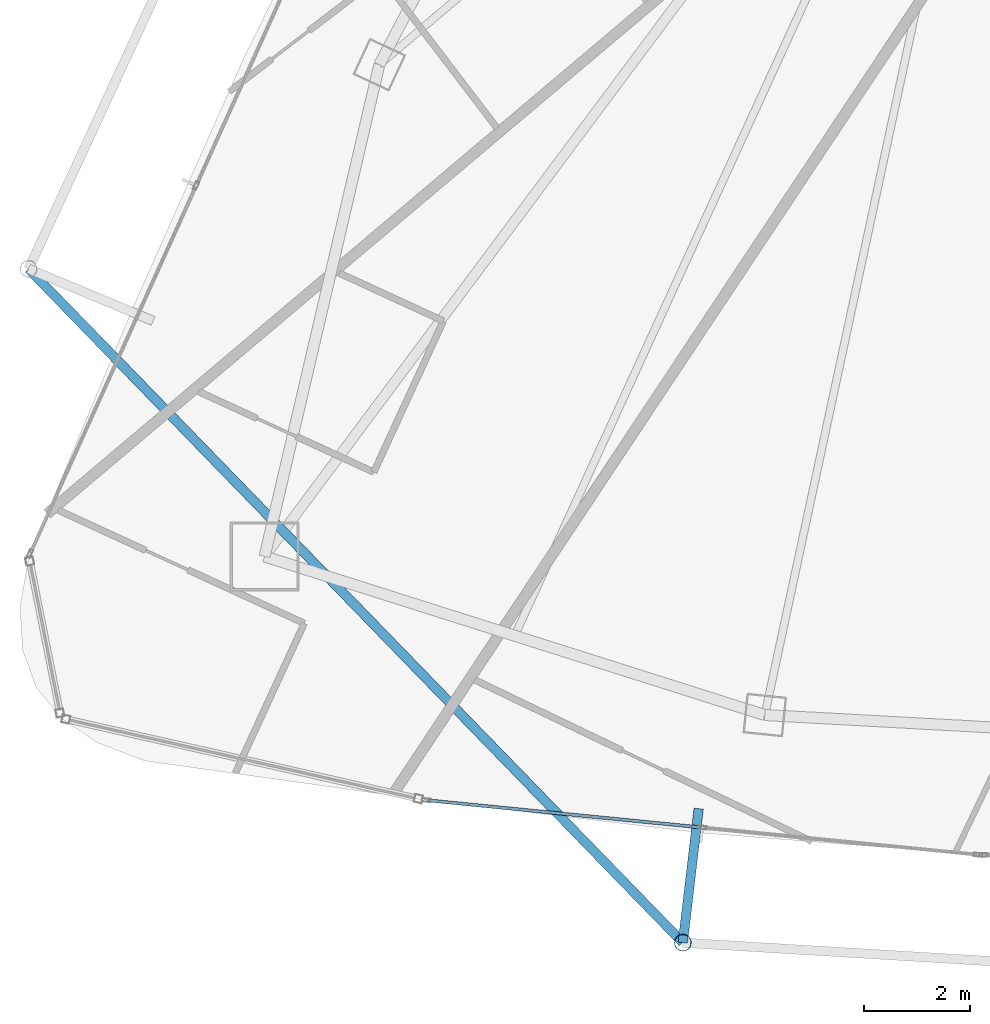
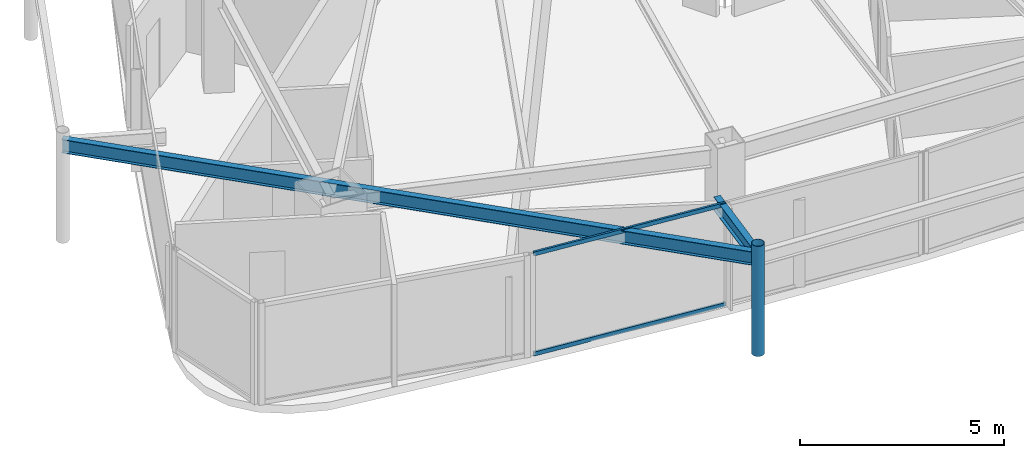
# One storey, part 3 of 33: 3 members, 2 beams, 1 element without a shape of its own.
"""IFC4 building model written with IfcOpenShell, lengths in metres."""

from ifc_helpers import new_model, si_unit, direction, frame, origin, origin_2d, place, context, subcontext, project, spatial, hollow_rectangle, hollow_circle, i_section, extrude, material, layer, layer_set, material_profile, profile_set, type_object, element, aggregate, save


model = new_model("IFC4")

# Units and contexts
model_context = context("Model", 3, precision=1e-05, world=origin(), true_north=direction((0.0, 1.0)))
body_context = subcontext(model_context, "Body", "Model", "MODEL_VIEW")
ifc_project = project(units=[si_unit("LENGTHUNIT", "METRE"), si_unit("AREAUNIT", "SQUARE_METRE"), si_unit("VOLUMEUNIT", "CUBIC_METRE"), si_unit("PLANEANGLEUNIT", "RADIAN"), si_unit("MASSUNIT", "GRAM", prefix="KILO")], contexts=[model_context])

# Site, building, storey
site_placement = place(None, origin())
site = spatial("IfcSite", under=ifc_project, at=site_placement, CompositionType="ELEMENT")
building_placement = place(site_placement, origin())
building = spatial("IfcBuilding", under=site, at=building_placement, Name="Orvanel Arch Residences", CompositionType="ELEMENT")
storey_placement = place(building_placement, frame((0.0, 0.0, 206.300048828125)))
storey = spatial("IfcBuildingStorey", under=building, at=storey_placement, Name="L58", CompositionType="ELEMENT", Elevation=206.300048828125)

# Beams
ifc_material_1 = material(Name="Structural steel AS/NZS 3679.1 Grade 300 (300 MPa)", Category="steel")
ifc_material_profile_1 = material_profile(ifc_material_1, i_section(OverallWidth=0.177978515625, OverallDepth=0.406005859375, WebThickness=0.0078125, FlangeThickness=0.0126953125, at=origin_2d()), Name="410UB59.7")
ifc_profile_set_1 = profile_set([ifc_material_profile_1], Name="Structural steel AS/NZS 3679.1 Grade 300 (300 MPa)")
beam_type = type_object("IfcBeamType", Name="OB-410UB-EXT", PredefinedType="SPANDREL", material=ifc_profile_set_1)
beam_1_placement = place(storey_placement, frame((9.739990234375, 15.784912109375, 2.85693359375), z_axis=(0.696579558645, -0.717479559624, 0.0), x_axis=(0.717479559624, 0.696579558645, 0.0)))
element("IfcBeam", 1, at=beam_1_placement, inside=storey, type_object=beam_type, Name="L58 Outer Perimeter Floor Ring Beam 04", PredefinedType="SPANDREL", context=body_context, shape_type="SweptSolid", body=[
    extrude(i_section(OverallWidth=0.177978515625, OverallDepth=0.406005859375, WebThickness=0.0078125, FlangeThickness=0.0126953125, at=origin_2d()), origin(), (0.0, 0.0, 1.0), 17.743896484375),
])
beam_2_placement = place(storey_placement, frame((22.39990234375, 5.5859375, 2.85693359375), z_axis=(-0.117585676087, -0.993062741613, 0.0), x_axis=(0.993062741613, -0.117585676087, 0.0)))
element("IfcBeam", 2, at=beam_2_placement, inside=storey, type_object=beam_type, Name="L58 Outer Frame Radial Tie Beam 05", PredefinedType="SPANDREL", context=body_context, shape_type="SweptSolid", body=[
    extrude(i_section(OverallWidth=0.177978515625, OverallDepth=0.406005859375, WebThickness=0.0078125, FlangeThickness=0.0126953125, at=origin_2d()), origin(), (0.0, 0.0, 1.0), 2.549560546875),
])

# Member
ifc_material_2 = material(Name="Structural steel AS/NZS 1163 C350L0 (Grade 350)", Category="steel")
ifc_material_profile_2 = material_profile(ifc_material_2, hollow_circle(Radius=0.162109375, WallThickness=0.0126953125, at=origin_2d()), Name="CHS324x12.7")
ifc_profile_set_2 = profile_set([ifc_material_profile_2], Name="Structural steel AS/NZS 1163 C350L0 (Grade 350)")
member_type_1 = type_object("IfcMemberType", Name="ST-324CHS-EXT", PredefinedType="STRUT", material=ifc_profile_set_2)
member_1_placement = place(storey_placement, frame((22.10009765625, 3.053955078125, 0.0), z_axis=(0.0, 0.0, 1.0), x_axis=(1.0, 0.0, 0.0)))
element("IfcMember", 3, at=member_1_placement, inside=storey, type_object=member_type_1, Name="L58 Outer Perimeter Frame Post 05", PredefinedType="STRUT", context=body_context, shape_type="SweptSolid", body=[
    extrude(hollow_circle(Radius=0.162109375, WallThickness=0.0126953125, at=origin_2d()), origin(), (0.0, 0.0, 1.0), 3.300048828125),
])

# Curtain wall, members
ifc_material_3 = material(Name="Bronze-anodised aluminium AA6063-T6", Category="aluminium")
ifc_layer = layer(ifc_material_3, 0.175048828125)
ifc_layer_set = layer_set([ifc_layer], Name="Bronze-anodised aluminium AA6063-T6")
curtain_wall_type = type_object("IfcCurtainWallType", Name="CW4-HI-SYS", PredefinedType="NOTDEFINED", material=ifc_layer_set)
curtain_wall_placement = place(storey_placement, origin())
curtain_wall = element("IfcCurtainWall", 4, at=curtain_wall_placement, inside=storey, type_object=curtain_wall_type, Name="L58 CW4-HI-SYS Unitised Curtain Wall", PredefinedType="NOTDEFINED")
ifc_material_profile_3 = material_profile(ifc_material_3, hollow_rectangle(XDim=0.06005859375, YDim=0.1201171875, WallThickness=0.00341796875, at=origin_2d()), Name="ALU120x60x3.5")
ifc_profile_set_3 = profile_set([ifc_material_profile_3], Name="Bronze-anodised aluminium AA6063-T6")
member_type_2 = type_object("IfcMemberType", Name="TRN-120x60", PredefinedType="USERDEFINED", material=ifc_profile_set_3)
member_2_placement = place(storey_placement, frame((17.28369140625, 5.74267578125, 0.030029296875), z_axis=(0.995122762776, -0.098644244665, 0.0), x_axis=(0.098644244665, 0.995122762776, 0.0)))
member_2 = element("IfcMember", 5, at=member_2_placement, type_object=member_type_2, Name="CW-S4 transom 1.1", ObjectType="TRANSOM", PredefinedType="USERDEFINED", context=body_context, shape_type="SweptSolid", body=[
    extrude(hollow_rectangle(XDim=0.06005859375, YDim=0.1201171875, WallThickness=0.00341796875, at=origin_2d()), origin(), (0.0, 0.0, 1.0), 5.175048828125),
])
member_3_placement = place(storey_placement, frame((17.28369140625, 5.74267578125, 3.030029296875), z_axis=(0.995122762776, -0.098644244665, 0.0), x_axis=(0.098644244665, 0.995122762776, 0.0)))
member_3 = element("IfcMember", 6, at=member_3_placement, type_object=member_type_2, Name="CW-S4 transom 1.2", ObjectType="TRANSOM", PredefinedType="USERDEFINED", context=body_context, shape_type="SweptSolid", body=[
    extrude(hollow_rectangle(XDim=0.06005859375, YDim=0.1201171875, WallThickness=0.00341796875, at=origin_2d()), origin(), (0.0, 0.0, 1.0), 5.175048828125),
])
aggregate(curtain_wall, [member_2, member_3])

save(model, "model.ifc")
